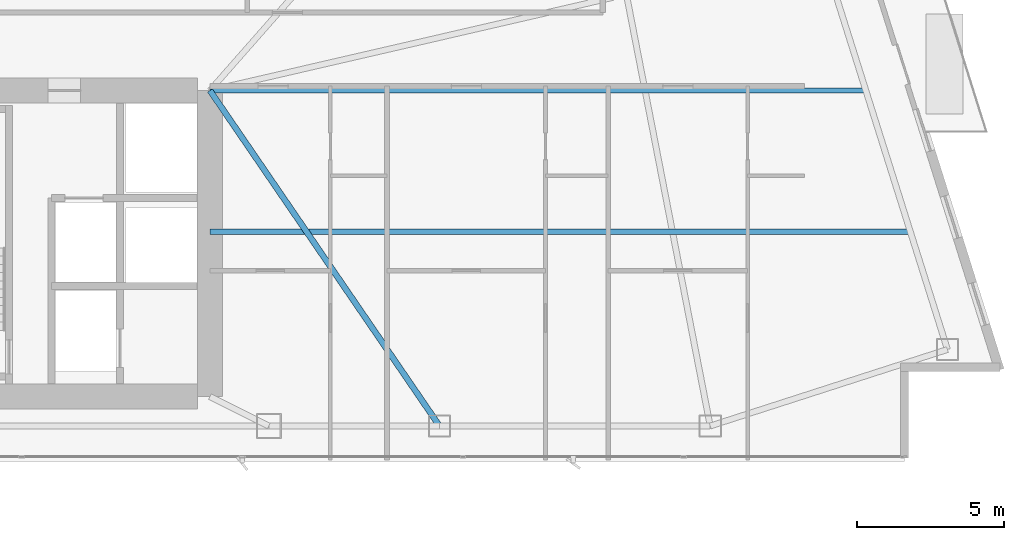
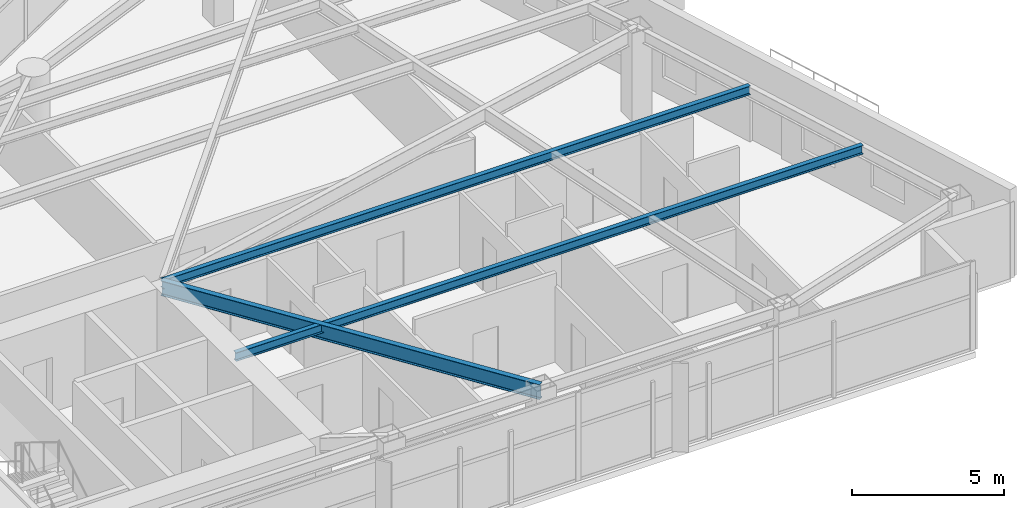
# One storey, part 13 of 28: 3 beams.
"""IFC4 building model written with IfcOpenShell, lengths in metres."""

import ifcopenshell
import ifcopenshell.guid

model = None  # the IFC model being written
_history = None  # IfcOwnerHistory: only IFC2X3 demands one
_inside = {}  # id of a spatial element -> (the spatial element, [elements in it])
_under = {}  # id of a project, library or spatial element -> (it, [spatial elements below it])
_declared = {}  # id of a project -> (the project, [libraries it declares])
_typed = {}  # id of a type object -> (the type object, [elements of that type])
_made_of = {}  # id of a material, layer set ... -> (it, [elements and type objects made of it])


def new_model(schema):
    """Start an empty IFC model of exactly this schema.

    Asked for "IFC4X3", IfcOpenShell would pick the latest addendum, in which some entities
    have other attributes; the version numbers below select the first issue.
    IFC2X3 requires an IfcOwnerHistory on every rooted entity: one is made here for all.
    """
    global model, _history
    if schema == "IFC4X3":
        model = ifcopenshell.file(schema_version=(4, 3, 0, 0))
    else:
        model = ifcopenshell.file(schema=schema)
    _inside.clear()
    _under.clear()
    _declared.clear()
    _typed.clear()
    _made_of.clear()
    _history = None
    if model.schema == "IFC2X3":
        org = make("IfcOrganization", Name="unknown")
        user = make(
            "IfcPersonAndOrganization",
            ThePerson=make("IfcPerson", FamilyName="unknown"),
            TheOrganization=org,
        )
        app = make(
            "IfcApplication",
            ApplicationDeveloper=org,
            Version="unknown",
            ApplicationFullName="unknown",
            ApplicationIdentifier="unknown",
        )
        _history = make(
            "IfcOwnerHistory",
            OwningUser=user,
            OwningApplication=app,
            ChangeAction="ADDED",
            CreationDate=0,
        )
    return model


def make(cls, **values):
    """One entity of the class cls with the attributes given. An attribute that is None is left unset."""
    return model.create_entity(
        cls, **{name: value for name, value in values.items() if value is not None}
    )


def rooted(cls, **values):
    """An entity with a GlobalId (a new one), such as an element, a storey or a relation."""
    return make(cls, GlobalId=ifcopenshell.guid.new(), OwnerHistory=_history, **values)


def si_unit(unit_type, name, prefix=None):
    """IfcSIUnit, for example si_unit("LENGTHUNIT", "METRE", prefix="MILLI")."""
    return make("IfcSIUnit", UnitType=unit_type, Prefix=prefix, Name=name)


def assignment(units):
    """IfcUnitAssignment: the units of a project."""
    return None if units is None else make("IfcUnitAssignment", Units=units)


def point(xyz):
    """IfcCartesianPoint."""
    return None if xyz is None else make("IfcCartesianPoint", Coordinates=xyz)


def direction(xyz):
    """IfcDirection."""
    return None if xyz is None else make("IfcDirection", DirectionRatios=xyz)


def frame(location, z_axis=None, x_axis=None):
    """IfcAxis2Placement3D, a coordinate frame: its origin and axes. An axis left out is left unset."""
    return make(
        "IfcAxis2Placement3D",
        Location=point(location),
        Axis=direction(z_axis),
        RefDirection=direction(x_axis),
    )


def frame_2d(location, x_axis=None):
    """IfcAxis2Placement2D, a coordinate frame in the plane: its origin and x axis."""
    return make(
        "IfcAxis2Placement2D", Location=point(location), RefDirection=direction(x_axis)
    )


def origin():
    """The frame at (0, 0, 0) with its axes left unset."""
    return frame((0.0, 0.0, 0.0))


def origin_2d():
    """The frame at (0, 0) in the plane with its x axis left unset."""
    return frame_2d((0.0, 0.0))


def place(relative_to, where):
    """IfcLocalPlacement: puts the frame where relative to a parent placement (None: the world)."""
    return make(
        "IfcLocalPlacement", PlacementRelTo=relative_to, RelativePlacement=where
    )


def context(
    kind, dimensions, precision=None, world=None, true_north=None, identifier=None
):
    """IfcGeometricRepresentationContext, for example the 3D "Model" context."""
    return make(
        "IfcGeometricRepresentationContext",
        ContextIdentifier=identifier,
        ContextType=kind,
        CoordinateSpaceDimension=dimensions,
        Precision=precision,
        WorldCoordinateSystem=world,
        TrueNorth=true_north,
    )


def subcontext(parent, identifier, kind, view, scale=None):
    """IfcGeometricRepresentationSubContext, for example "Body" below "Model"."""
    return make(
        "IfcGeometricRepresentationSubContext",
        ContextIdentifier=identifier,
        ContextType=kind,
        ParentContext=parent,
        TargetScale=scale,
        TargetView=view,
    )


def project(units=None, contexts=None):
    """IfcProject with its units and contexts."""
    return rooted(
        "IfcProject",
        Name="project",
        RepresentationContexts=contexts,
        UnitsInContext=assignment(units),
    )


def spatial(cls, under=None, at=None, **own):
    """A site, building, storey or space (cls), placed at a placement, below another one or the project."""
    s = rooted(cls, ObjectPlacement=at, **own)
    if under is not None:
        _under.setdefault(under.id(), (under, []))[1].append(s)
    return s


def profile(cls, at=None, kind="AREA", **sizes):
    """A parametric profile (cls). Its sizes go by their IFC names, for example OverallWidth=200.0."""
    return make(cls, ProfileType=kind, Position=at, **sizes)


def i_section(**sizes):
    """IfcIShapeProfileDef."""
    return profile("IfcIShapeProfileDef", **sizes)


def extrude(swept, where, along, depth):
    """IfcExtrudedAreaSolid: the profile swept, set in the frame where, extruded along a direction by depth."""
    return make(
        "IfcExtrudedAreaSolid",
        SweptArea=swept,
        Position=where,
        ExtrudedDirection=direction(along),
        Depth=depth,
    )


def shape(context_of_items, identifier, shape_type, items):
    """IfcShapeRepresentation: the items that make up one representation, for example the "Body"."""
    return make(
        "IfcShapeRepresentation",
        ContextOfItems=context_of_items,
        RepresentationIdentifier=identifier,
        RepresentationType=shape_type,
        Items=items,
    )


def material(Name=None, Category=None):
    """IfcMaterial."""
    return make("IfcMaterial", Name=Name, Category=Category)


def material_profile(
    of_material, cross_section, Name=None, Category=None, Priority=None
):
    """IfcMaterialProfile: a cross section and its material."""
    return make(
        "IfcMaterialProfile",
        Name=Name,
        Material=of_material,
        Profile=cross_section,
        Priority=Priority,
        Category=Category,
    )


def profile_set(profiles, Name=None, composite=None):
    """IfcMaterialProfileSet."""
    return make(
        "IfcMaterialProfileSet",
        Name=Name,
        MaterialProfiles=profiles,
        CompositeProfile=composite,
    )


def made_of(thing, what):
    """Note that an element or type object is made of a material, layer set ...; save() writes the relation."""
    if what is not None:
        _made_of.setdefault(what.id(), (what, []))[1].append(thing)
    return thing


def type_object(cls, material=None, **own):
    """A type object (cls), such as IfcWallType, which elements share."""
    return made_of(rooted(cls, **own), material)


def element(
    cls,
    number,
    at=None,
    inside=None,
    cuts=None,
    type_object=None,
    material=None,
    context=None,
    identifier="Body",
    shape_type=None,
    held_by="IfcProductDefinitionShape",
    body=None,
    shapes=None,
    **own,
):
    """One element of the class cls, such as IfcWall. Its Tag is "e" and its number.

    at: its placement. inside: the storey or other place that contains it. cuts: it is an
    opening in that element (IfcRelVoidsElement). A single representation is given by context,
    identifier, shape_type and body (its items); several are given by shapes. held_by: the class
    of the entity that holds the representations. save() writes the other relations.
    """
    e = rooted(cls, Tag="e%d" % number, ObjectPlacement=at, **own)
    if body is not None:
        shapes = [shape(context, identifier, shape_type, body)]
    if shapes is not None:
        e.Representation = make(held_by, Representations=shapes)
    if inside is not None:
        _inside.setdefault(inside.id(), (inside, []))[1].append(e)
    if cuts is not None:
        rooted(
            "IfcRelVoidsElement", RelatingBuildingElement=cuts, RelatedOpeningElement=e
        )
    if type_object is not None:
        _typed.setdefault(type_object.id(), (type_object, []))[1].append(e)
    return made_of(e, material)


def aggregate(whole, parts):
    """IfcRelAggregates: a whole, such as a stair, and the parts it consists of."""
    return rooted("IfcRelAggregates", RelatingObject=whole, RelatedObjects=parts)


def save(model, path):
    """Write the relations noted so far, then the file.

    IfcRelAggregates (storeys below a building ...), IfcRelContainedInSpatialStructure (elements
    in a storey), IfcRelDefinesByType, IfcRelAssociatesMaterial and IfcRelDeclares: one each for
    every whole, place, type object, material and project.
    """
    for whole, parts in _under.values():
        aggregate(whole, parts)
    for where, things in _inside.values():
        rooted(
            "IfcRelContainedInSpatialStructure",
            RelatedElements=things,
            RelatingStructure=where,
        )
    for kind, things in _typed.values():
        rooted("IfcRelDefinesByType", RelatedObjects=things, RelatingType=kind)
    for what, things in _made_of.values():
        rooted("IfcRelAssociatesMaterial", RelatedObjects=things, RelatingMaterial=what)
    for by, libraries in _declared.values():
        rooted("IfcRelDeclares", RelatingContext=by, RelatedDefinitions=libraries)
    model.write(path)


model = new_model("IFC4")

# Units and contexts
model_context = context("Model", 3, precision=1e-05, world=origin(), true_north=direction((0.0, 1.0)))
body_context = subcontext(model_context, "Body", "Model", "MODEL_VIEW")
ifc_project = project(units=[si_unit("LENGTHUNIT", "METRE"), si_unit("AREAUNIT", "SQUARE_METRE"), si_unit("VOLUMEUNIT", "CUBIC_METRE"), si_unit("PLANEANGLEUNIT", "RADIAN"), si_unit("MASSUNIT", "GRAM", prefix="KILO")], contexts=[model_context])

# Site, building, storey
site_placement = place(None, origin())
site = spatial("IfcSite", under=ifc_project, at=site_placement, CompositionType="ELEMENT")
building_placement = place(site_placement, origin())
building = spatial("IfcBuilding", under=site, at=building_placement, Name="Calvorn Quay Hotel", CompositionType="ELEMENT")
storey_placement = place(building_placement, frame((0.0, 0.0, 156.10009765625)))
storey = spatial("IfcBuildingStorey", under=building, at=storey_placement, Name="L38", CompositionType="ELEMENT", Elevation=156.10009765625)

# Beams
ifc_material_1 = material(Name="Steel Q355B", Category="steel")
ifc_material_profile_1 = material_profile(ifc_material_1, i_section(OverallWidth=0.199951171875, OverallDepth=0.60009765625, WebThickness=0.010986328125, FlangeThickness=0.01708984375, FilletRadius=0.01806640625, at=origin_2d()), Name="HN600x200x11x17")
ifc_profile_set_1 = profile_set([ifc_material_profile_1], Name="Steel Q355B")
beam_type_1 = type_object("IfcBeamType", Name="BM-GIRD-TYP", PredefinedType="BEAM", material=ifc_profile_set_1)
beam_1_placement = place(storey_placement, frame((40.199951171875, 3.60009765625, 3.239990234375), z_axis=(-0.564689618177, 0.825303359452, 0.0), x_axis=(-0.825303359452, -0.564689618177, 0.0)))
element("IfcBeam", 1, at=beam_1_placement, inside=storey, type_object=beam_type_1, Name="Beam BG-L38-E6", PredefinedType="BEAM", context=body_context, shape_type="SweptSolid", body=[
    extrude(i_section(OverallWidth=0.199951171875, OverallDepth=0.60009765625, WebThickness=0.010986328125, FlangeThickness=0.01708984375, FilletRadius=0.01806640625, at=origin_2d()), origin(), (0.0, 0.0, 1.0), 13.81298828125),
])
ifc_material_2 = material(Name="Steel Q355B", Category="steel")
ifc_material_profile_2 = material_profile(ifc_material_2, i_section(OverallWidth=0.175048828125, OverallDepth=0.35009765625, WebThickness=0.007080078125, FlangeThickness=0.010986328125, FilletRadius=0.013916015625, at=origin_2d()), Name="HN350x175x7x11")
ifc_profile_set_2 = profile_set([ifc_material_profile_2], Name="Steel Q355B")
beam_type_2 = type_object("IfcBeamType", Name="BM-JOIST-SEC", PredefinedType="JOIST", material=ifc_profile_set_2)
beam_2_placement = place(storey_placement, frame((32.39990234375, 10.199951171875, 3.364990234375), z_axis=(1.0, 0.0, 0.0), x_axis=(0.0, 1.0, 0.0)))
element("IfcBeam", 2, at=beam_2_placement, inside=storey, type_object=beam_type_2, Name="Beam BJ-L38-E1", PredefinedType="JOIST", context=body_context, shape_type="SweptSolid", body=[
    extrude(i_section(OverallWidth=0.175048828125, OverallDepth=0.35009765625, WebThickness=0.007080078125, FlangeThickness=0.010986328125, FilletRadius=0.013916015625, at=origin_2d()), origin(), (0.0, 0.0, 1.0), 23.801025390625),
])
beam_3_placement = place(storey_placement, frame((32.39990234375, 15.0, 3.364990234375), z_axis=(1.0, 0.0, 0.0), x_axis=(0.0, 1.0, 0.0)))
element("IfcBeam", 3, at=beam_3_placement, inside=storey, type_object=beam_type_2, Name="Beam BJ-L38-E2", PredefinedType="JOIST", context=body_context, shape_type="SweptSolid", body=[
    extrude(i_section(OverallWidth=0.175048828125, OverallDepth=0.35009765625, WebThickness=0.007080078125, FlangeThickness=0.010986328125, FilletRadius=0.013916015625, at=origin_2d()), origin(), (0.0, 0.0, 1.0), 22.2880859375),
])

save(model, "model.ifc")
